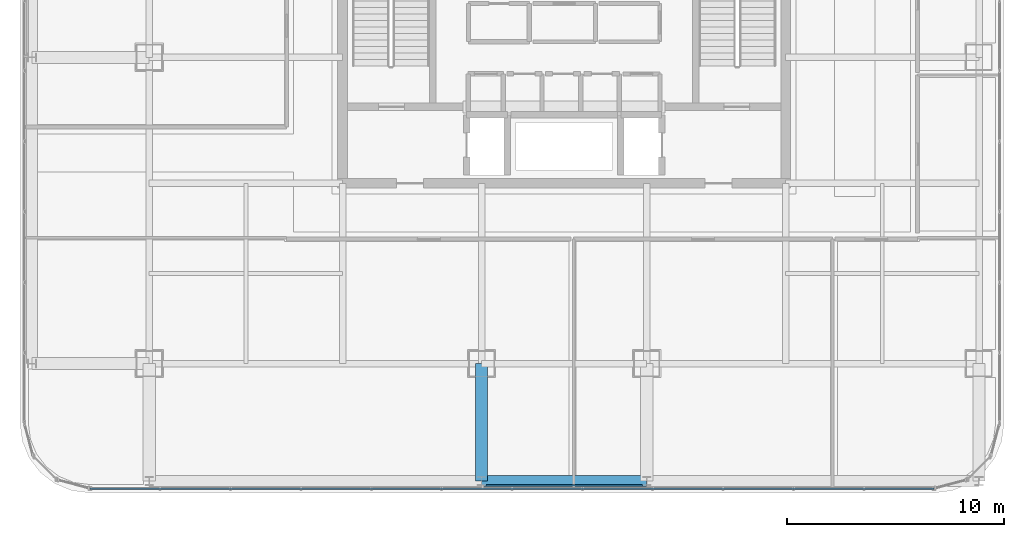
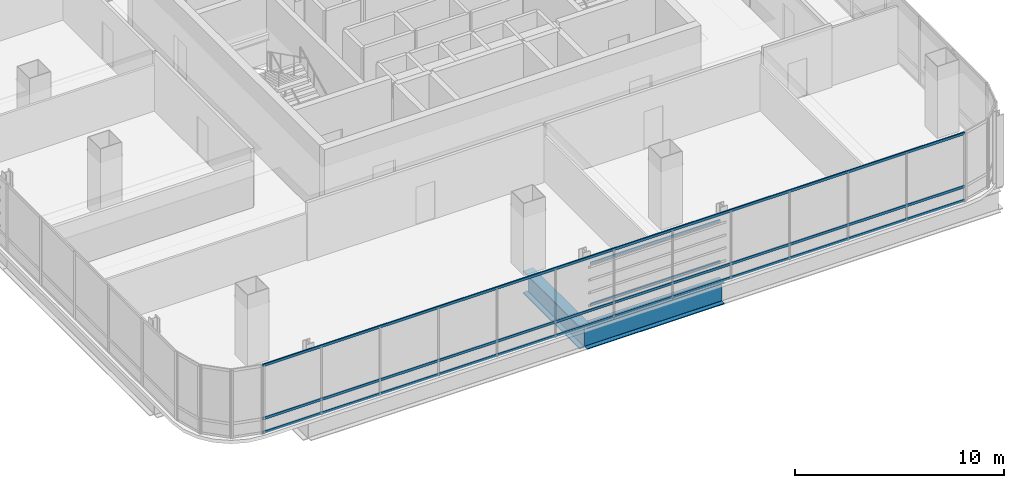
# One storey, part 8 of 43: 5 members, 2 beams, 1 element without a shape of its own.
"""IFC4 building model written with IfcOpenShell, lengths in metres."""

from ifc_helpers import new_model, si_unit, direction, frame, origin, origin_2d, place, context, subcontext, project, spatial, hollow_rectangle, i_section, extrude, material, material_profile, profile_set, type_object, element, aggregate, save


model = new_model("IFC4")

# Units and contexts
model_context = context("Model", 3, precision=1e-05, world=origin(), true_north=direction((0.0, 1.0)))
body_context = subcontext(model_context, "Body", "Model", "MODEL_VIEW")
ifc_project = project(units=[si_unit("LENGTHUNIT", "METRE"), si_unit("AREAUNIT", "SQUARE_METRE"), si_unit("VOLUMEUNIT", "CUBIC_METRE"), si_unit("PLANEANGLEUNIT", "RADIAN"), si_unit("MASSUNIT", "GRAM", prefix="KILO")], contexts=[model_context])

# Site, building, storey
site_placement = place(None, origin())
site = spatial("IfcSite", under=ifc_project, at=site_placement, CompositionType="ELEMENT")
building_placement = place(site_placement, origin())
building = spatial("IfcBuilding", under=site, at=building_placement, Name="Punatoya Terracotta Tower", CompositionType="ELEMENT")
storey_placement = place(building_placement, frame((0.0, 0.0, 321.60009765625)))
storey = spatial("IfcBuildingStorey", under=building, at=storey_placement, Name="L76", CompositionType="ELEMENT", Elevation=321.60009765625)

# Beams
ifc_material_1 = material(Name="Steel S460", Category="steel")
ifc_material_profile_1 = material_profile(ifc_material_1, i_section(OverallWidth=0.56005859375, OverallDepth=1.320068359375, WebThickness=0.035888671875, FlangeThickness=0.054931640625, FilletRadius=0.01806640625, at=origin_2d()))
ifc_profile_set_1 = profile_set([ifc_material_profile_1], Name="Steel S460")
beam_type_1 = type_object("IfcBeamType", Name="BM-TG-BLK", PredefinedType="BEAM", material=ifc_profile_set_1)
beam_1_placement = place(storey_placement, frame((-3.800048828125, -22.89990234375, -0.860107421875), z_axis=(0.0, 1.0, 0.0), x_axis=(-1.0, 0.0, 0.0)))
element("IfcBeam", 1, at=beam_1_placement, inside=storey, type_object=beam_type_1, Name="BM-L76-CANT-S2", PredefinedType="BEAM", context=body_context, shape_type="SweptSolid", body=[
    extrude(i_section(OverallWidth=0.56005859375, OverallDepth=1.320068359375, WebThickness=0.035888671875, FlangeThickness=0.054931640625, FilletRadius=0.01806640625, at=origin_2d()), origin(), (0.0, 0.0, 1.0), 5.39990234375),
])
ifc_material_profile_2 = material_profile(ifc_material_1, i_section(OverallWidth=0.52001953125, OverallDepth=1.280029296875, WebThickness=0.031982421875, FlangeThickness=0.050048828125, FilletRadius=0.01806640625, at=origin_2d()))
ifc_profile_set_2 = profile_set([ifc_material_profile_2], Name="Steel S460")
beam_type_2 = type_object("IfcBeamType", Name="BM-TG-NCK", PredefinedType="BEAM", material=ifc_profile_set_2)
beam_2_placement = place(storey_placement, frame((-3.800048828125, -22.89990234375, -0.840087890625), z_axis=(1.0, 0.0, 0.0), x_axis=(0.0, 1.0, 0.0)))
element("IfcBeam", 2, at=beam_2_placement, inside=storey, type_object=beam_type_2, Name="BM-L76-PER-S2", PredefinedType="BEAM", context=body_context, shape_type="SweptSolid", body=[
    extrude(i_section(OverallWidth=0.52001953125, OverallDepth=1.280029296875, WebThickness=0.031982421875, FlangeThickness=0.050048828125, FilletRadius=0.01806640625, at=origin_2d()), origin(), (0.0, 0.0, 1.0), 7.60009765625),
])

# Curtain wall, members
ifc_material_2 = material(Name="Aluminium 6063-T6 + Double Low-E Glass", Category="aluminium")
curtain_wall_type = type_object("IfcCurtainWallType", Name="CW-OBS", PredefinedType="NOTDEFINED", material=ifc_material_2)
curtain_wall_placement = place(storey_placement, origin())
curtain_wall = element("IfcCurtainWall", 3, at=curtain_wall_placement, inside=storey, type_object=curtain_wall_type, Name="L76 Curtain Wall CW-L76-S01-1", PredefinedType="NOTDEFINED")
ifc_material_3 = material(Name="Aluminium 6063-T6", Category="aluminium")
ifc_material_profile_3 = material_profile(ifc_material_3, hollow_rectangle(XDim=0.068115234375, YDim=0.14990234375, WallThickness=0.00390625, at=origin_2d()))
ifc_profile_set_3 = profile_set([ifc_material_profile_3], Name="Aluminium 6063-T6")
member_type_1 = type_object("IfcMemberType", Name="CW-TRN-TYP", PredefinedType="USERDEFINED", material=ifc_profile_set_3)
member_1_placement = place(storey_placement, frame((-21.8369140625, -23.25, 0.039794921875), z_axis=(1.0, 0.0, 0.0), x_axis=(0.0, 1.0, 0.0)))
member_1 = element("IfcMember", 4, at=member_1_placement, type_object=member_type_1, Name="CW-L76-S01-1 Transom 1", ObjectType="TRANSOM", PredefinedType="USERDEFINED", context=body_context, shape_type="SweptSolid", body=[
    extrude(hollow_rectangle(XDim=0.068115234375, YDim=0.14990234375, WallThickness=0.00390625, at=origin_2d()), origin(), (0.0, 0.0, 1.0), 38.873779296875),
])
member_2_placement = place(storey_placement, frame((-21.8369140625, -23.25, 0.849853515625), z_axis=(1.0, 0.0, 0.0), x_axis=(0.0, 1.0, 0.0)))
member_2 = element("IfcMember", 5, at=member_2_placement, type_object=member_type_1, Name="CW-L76-S01-1 Transom 2", ObjectType="TRANSOM", PredefinedType="USERDEFINED", context=body_context, shape_type="SweptSolid", body=[
    extrude(hollow_rectangle(XDim=0.068115234375, YDim=0.14990234375, WallThickness=0.00390625, at=origin_2d()), origin(), (0.0, 0.0, 1.0), 38.873779296875),
])
member_3_placement = place(storey_placement, frame((-21.8369140625, -23.25, 3.9599609375), z_axis=(1.0, 0.0, 0.0), x_axis=(0.0, 1.0, 0.0)))
member_3 = element("IfcMember", 6, at=member_3_placement, type_object=member_type_1, Name="CW-L76-S01-1 Transom 3", ObjectType="TRANSOM", PredefinedType="USERDEFINED", context=body_context, shape_type="SweptSolid", body=[
    extrude(hollow_rectangle(XDim=0.068115234375, YDim=0.14990234375, WallThickness=0.00390625, at=origin_2d()), origin(), (0.0, 0.0, 1.0), 38.873779296875),
])
aggregate(curtain_wall, [member_1, member_2, member_3])

# Members
ifc_material_4 = material(Name="Steel S355", Category="steel")
ifc_material_profile_4 = material_profile(ifc_material_4, hollow_rectangle(XDim=0.070068359375, YDim=0.139892578125, WallThickness=0.006103515625, at=origin_2d()))
ifc_profile_set_4 = profile_set([ifc_material_profile_4], Name="Steel S355")
member_type_2 = type_object("IfcMemberType", Name="MEM-BAG-RAIL", PredefinedType="USERDEFINED", material=ifc_profile_set_4)
for number, where, z_axis, x_axis, name in (
    (7, (-3.597412109375, -23.090087890625, 1.0498046875), (1.0, 0.0, 0.0), (0.0, 1.0, 0.0), "L76 Terracotta Baguette Carrier Rail BAG-L76-S-R1"),
    (8, (-3.597412109375, -23.090087890625, 3.449951171875), (1.0, 0.0, 0.0), (0.0, 1.0, 0.0), "L76 Terracotta Baguette Carrier Rail BAG-L76-S-R2"),
):
    element("IfcMember", number, at=place(storey_placement, frame(where, z_axis=z_axis, x_axis=x_axis)), inside=storey, type_object=member_type_2, Name=name, ObjectType="BAGUETTE", PredefinedType="USERDEFINED", context=body_context, shape_type="SweptSolid", body=[
        extrude(hollow_rectangle(XDim=0.070068359375, YDim=0.139892578125, WallThickness=0.006103515625, at=origin_2d()), origin(), (0.0, 0.0, 1.0), 7.19482421875),
    ])

save(model, "model.ifc")
